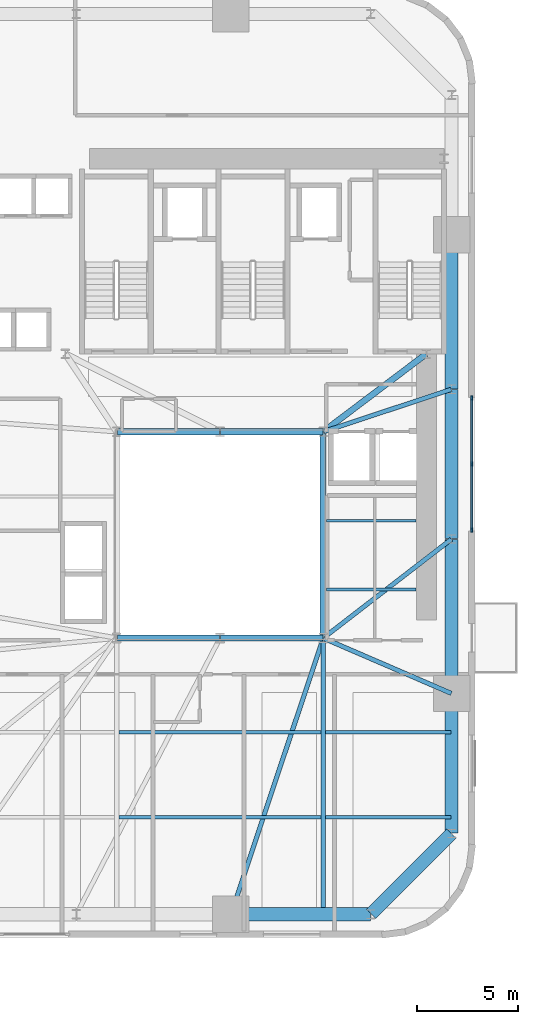
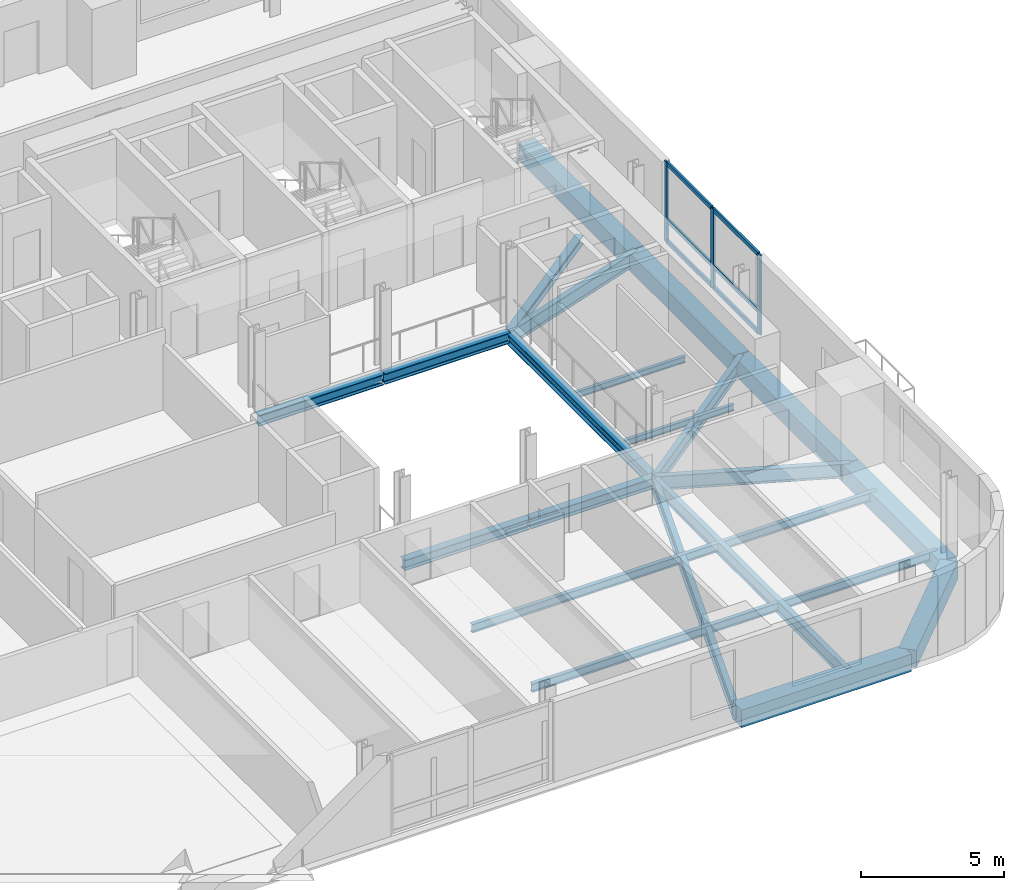
# One storey, part 3 of 13: 23 beams, 9 members, 1 element without a shape of its own.
"""IFC4 building model written with IfcOpenShell, lengths in metres."""

from ifc_helpers import new_model, si_unit, direction, frame, origin, origin_2d, place, context, subcontext, project, spatial, rectangle, i_section, extrude, source, transform, mapped, material, material_profile, profile_set, type_object, element, aggregate, save


model = new_model("IFC4")

# Units and contexts
model_context = context("Model", 3, precision=1e-05, world=origin(), true_north=direction((0.0, 1.0)))
body_context = subcontext(model_context, "Body", "Model", "MODEL_VIEW")
ifc_project = project(units=[si_unit("LENGTHUNIT", "METRE"), si_unit("AREAUNIT", "SQUARE_METRE"), si_unit("VOLUMEUNIT", "CUBIC_METRE"), si_unit("PLANEANGLEUNIT", "RADIAN"), si_unit("MASSUNIT", "GRAM", prefix="KILO")], contexts=[model_context])

# Site, building, storey
site_placement = place(None, origin())
site = spatial("IfcSite", under=ifc_project, at=site_placement, CompositionType="ELEMENT")
building_placement = place(site_placement, origin())
building = spatial("IfcBuilding", under=site, at=building_placement, Name="Vardaveli Station Tower", CompositionType="ELEMENT")
storey_placement = place(building_placement, frame((0.0, 0.0, 86.0)))
storey = spatial("IfcBuildingStorey", under=building, at=storey_placement, Name="L22", CompositionType="ELEMENT", Elevation=86.0)

# Beams
ifc_material_1 = material(Name="Structural steel S355J2", Category="steel")
ifc_material_profile_1 = material_profile(ifc_material_1, i_section(OverallWidth=0.300048828125, OverallDepth=0.449951171875, WebThickness=0.013916015625, FlangeThickness=0.02587890625, FilletRadius=0.027099609375, at=origin_2d()), Name="HEB 450")
ifc_profile_set_1 = profile_set([ifc_material_profile_1], Name="Structural steel S355J2")
beam_type_1 = type_object("IfcBeamType", Name="BM-HEB450", PredefinedType="BEAM", material=ifc_profile_set_1)
shared_shape_1 = source(origin(), body_context, "Body", "SweptSolid", [
    extrude(i_section(OverallWidth=0.300048828125, OverallDepth=0.449951171875, WebThickness=0.013916015625, FlangeThickness=0.02587890625, FilletRadius=0.027099609375, at=origin_2d()), origin(), (0.0, 0.0, 1.0), 5.06005859375),
])
for number, where, z_axis, x_axis, name in (
    (1, (31.219970703125, 16.60009765625, -0.465087890625), (1.0, 0.0, 0.0), (0.0, 1.0, 0.0), "ABM-L22-01"),
    (2, (36.280029296875, 26.800048828125, -0.465087890625), (-1.0, 0.0, 0.0), (0.0, -1.0, 0.0), "ABM-L22-05"),
):
    element("IfcBeam", number, at=place(storey_placement, frame(where, z_axis=z_axis, x_axis=x_axis)), inside=storey, type_object=beam_type_1, Name=name, PredefinedType="BEAM", context=body_context, shape_type="MappedRepresentation", body=[
        mapped(shared_shape_1, transform((0.0, 0.0, 0.0), scale=1.0)),
    ])
shared_shape_2 = source(origin(), body_context, "Body", "SweptSolid", [
    extrude(i_section(OverallWidth=0.300048828125, OverallDepth=0.449951171875, WebThickness=0.013916015625, FlangeThickness=0.02587890625, FilletRadius=0.027099609375, at=origin_2d()), origin(), (0.0, 0.0, 1.0), 5.059814453125),
])
for number, where, z_axis, x_axis, name in (
    (3, (36.320068359375, 16.60009765625, -0.465087890625), (1.0, 0.0, 0.0), (0.0, 1.0, 0.0), "ABM-L22-02"),
    (4, (41.3798828125, 26.800048828125, -0.465087890625), (-1.0, 0.0, 0.0), (0.0, -1.0, 0.0), "ABM-L22-04"),
):
    element("IfcBeam", number, at=place(storey_placement, frame(where, z_axis=z_axis, x_axis=x_axis)), inside=storey, type_object=beam_type_1, Name=name, PredefinedType="BEAM", context=body_context, shape_type="MappedRepresentation", body=[
        mapped(shared_shape_2, transform((0.0, 0.0, 0.0), scale=1.0)),
    ])
shared_shape_3 = source(origin(), body_context, "Body", "SweptSolid", [
    extrude(i_section(OverallWidth=0.300048828125, OverallDepth=0.449951171875, WebThickness=0.013916015625, FlangeThickness=0.02587890625, FilletRadius=0.027099609375, at=origin_2d()), origin(), (0.0, 0.0, 1.0), 10.159912109375),
])
beam_1_placement = place(storey_placement, frame((41.39990234375, 16.6201171875, -0.465087890625), z_axis=(0.0, 1.0, 0.0), x_axis=(-1.0, 0.0, 0.0)))
element("IfcBeam", 5, at=beam_1_placement, inside=storey, type_object=beam_type_1, Name="ABM-L22-03", PredefinedType="BEAM", context=body_context, shape_type="MappedRepresentation", body=[
    mapped(shared_shape_3, transform((0.0, 0.0, 0.0), scale=1.0)),
])
ifc_material_profile_2 = material_profile(ifc_material_1, i_section(OverallWidth=0.300048828125, OverallDepth=0.360107421875, WebThickness=0.012451171875, FlangeThickness=0.0224609375, FilletRadius=0.027099609375, at=origin_2d()), Name="HEB 360")
ifc_profile_set_2 = profile_set([ifc_material_profile_2], Name="Structural steel S355J2")
beam_type_2 = type_object("IfcBeamType", Name="BM-HEB360", PredefinedType="BEAM", material=ifc_profile_set_2)
shared_shape_4 = source(origin(), body_context, "Body", "SweptSolid", [
    extrude(i_section(OverallWidth=0.300048828125, OverallDepth=0.360107421875, WebThickness=0.012451171875, FlangeThickness=0.0224609375, FilletRadius=0.027099609375, at=origin_2d()), origin(), (0.0, 0.0, 1.0), 6.35009765625),
])
beam_2_placement = place(storey_placement, frame((41.416015625, 26.81201171875, -0.419921875), z_axis=(0.798118337722, 0.602500721154, 0.0), x_axis=(-0.602500721154, 0.798118337722, 0.0)))
element("IfcBeam", 6, at=beam_2_placement, inside=storey, type_object=beam_type_2, Name="CBM-L22-02", PredefinedType="BEAM", context=body_context, shape_type="MappedRepresentation", body=[
    mapped(shared_shape_4, transform((0.0, 0.0, 0.0), scale=1.0)),
])
ifc_material_2 = material(Name="Precast concrete C45/55", Category="concrete")
ifc_material_profile_3 = material_profile(ifc_material_2, rectangle(XDim=0.64990234375, YDim=0.75, at=origin_2d()), Name="LPB 650x750")
ifc_profile_set_3 = profile_set([ifc_material_profile_3], Name="Precast concrete C45/55")
beam_type_3 = type_object("IfcBeamType", Name="BM-LPB-750", PredefinedType="BEAM", material=ifc_profile_set_3)
shared_shape_5 = source(origin(), body_context, "Body", "SweptSolid", [
    extrude(rectangle(XDim=0.64990234375, YDim=0.75, at=origin_2d()), origin(), (0.0, 0.0, 1.0), 7.60009765625),
])
for number, where, z_axis, x_axis, name in (
    (7, (47.75, 13.8798828125, -0.614990234375), (0.0, 1.0, 0.0), (-1.0, 0.0, 0.0), "RBM-L22-07"),
    (8, (47.75, 28.919921875, -0.614990234375), (0.0, 1.0, 0.0), (-1.0, 0.0, 0.0), "RBM-L22-09"),
):
    element("IfcBeam", number, at=place(storey_placement, frame(where, z_axis=z_axis, x_axis=x_axis)), inside=storey, type_object=beam_type_3, Name=name, PredefinedType="BEAM", context=body_context, shape_type="MappedRepresentation", body=[
        mapped(shared_shape_5, transform((0.0, 0.0, 0.0), scale=1.0)),
    ])
shared_shape_6 = source(origin(), body_context, "Body", "SweptSolid", [
    extrude(rectangle(XDim=0.64990234375, YDim=0.75, at=origin_2d()), origin(), (0.0, 0.0, 1.0), 7.35986328125),
])
beam_3_placement = place(storey_placement, frame((47.75, 21.52001953125, -0.614990234375), z_axis=(0.0, 1.0, 0.0), x_axis=(-1.0, 0.0, 0.0)))
element("IfcBeam", 9, at=beam_3_placement, inside=storey, type_object=beam_type_3, Name="RBM-L22-08", PredefinedType="BEAM", context=body_context, shape_type="MappedRepresentation", body=[
    mapped(shared_shape_6, transform((0.0, 0.0, 0.0), scale=1.0)),
])
shared_shape_7 = source(origin(), body_context, "Body", "SweptSolid", [
    extrude(rectangle(XDim=0.64990234375, YDim=0.75, at=origin_2d()), origin(), (0.0, 0.0, 1.0), 6.869873046875),
])
beam_4_placement = place(storey_placement, frame((36.860107421875, 2.949951171875, -0.614990234375), z_axis=(1.0, 0.0, 0.0), x_axis=(0.0, 1.0, 0.0)))
element("IfcBeam", 10, at=beam_4_placement, inside=storey, type_object=beam_type_3, Name="RBM-L22-04", PredefinedType="BEAM", context=body_context, shape_type="MappedRepresentation", body=[
    mapped(shared_shape_7, transform((0.0, 0.0, 0.0), scale=1.0)),
])
shared_shape_8 = source(origin(), body_context, "Body", "SweptSolid", [
    extrude(rectangle(XDim=0.64990234375, YDim=0.75, at=origin_2d()), origin(), (0.0, 0.0, 1.0), 5.61669921875),
])
beam_5_placement = place(storey_placement, frame((43.76416015625, 2.964111328125, -0.614990234375), z_axis=(0.707106781187, 0.707106781187, 0.0), x_axis=(-0.707106781187, 0.707106781187, 0.0)))
element("IfcBeam", 11, at=beam_5_placement, inside=storey, type_object=beam_type_3, Name="RBM-L22-05", PredefinedType="BEAM", context=body_context, shape_type="MappedRepresentation", body=[
    mapped(shared_shape_8, transform((0.0, 0.0, 0.0), scale=1.0)),
])
shared_shape_9 = source(origin(), body_context, "Body", "SweptSolid", [
    extrude(rectangle(XDim=0.64990234375, YDim=0.75, at=origin_2d()), origin(), (0.0, 0.0, 1.0), 6.8701171875),
])
beam_6_placement = place(storey_placement, frame((47.75, 6.969970703125, -0.614990234375), z_axis=(0.0, 1.0, 0.0), x_axis=(-1.0, 0.0, 0.0)))
element("IfcBeam", 12, at=beam_6_placement, inside=storey, type_object=beam_type_3, Name="RBM-L22-06", PredefinedType="BEAM", context=body_context, shape_type="MappedRepresentation", body=[
    mapped(shared_shape_9, transform((0.0, 0.0, 0.0), scale=1.0)),
])
ifc_material_profile_4 = material_profile(ifc_material_1, i_section(OverallWidth=0.219970703125, OverallDepth=0.60009765625, WebThickness=0.011962890625, FlangeThickness=0.01904296875, FilletRadius=0.02392578125, at=origin_2d()), Name="IPE 600")
ifc_profile_set_4 = profile_set([ifc_material_profile_4], Name="Structural steel S355J2")
beam_type_4 = type_object("IfcBeamType", Name="BM-IPE600", PredefinedType="BEAM", material=ifc_profile_set_4)
shared_shape_10 = source(origin(), body_context, "Body", "SweptSolid", [
    extrude(i_section(OverallWidth=0.219970703125, OverallDepth=0.60009765625, WebThickness=0.011962890625, FlangeThickness=0.01904296875, FilletRadius=0.02392578125, at=origin_2d()), origin(), (0.0, 0.0, 1.0), 14.3515625),
])
beam_7_placement = place(storey_placement, frame((36.846435546875, 2.968994140625, -0.5400390625), z_axis=(0.316840115921, 0.948478961782, 0.0), x_axis=(-0.948478961782, 0.316840115921, 0.0)))
element("IfcBeam", 13, at=beam_7_placement, inside=storey, type_object=beam_type_4, Name="GBM-L22-04", PredefinedType="BEAM", context=body_context, shape_type="MappedRepresentation", body=[
    mapped(shared_shape_10, transform((0.0, 0.0, 0.0), scale=1.0)),
])
shared_shape_11 = source(origin(), body_context, "Body", "SweptSolid", [
    extrude(i_section(OverallWidth=0.219970703125, OverallDepth=0.60009765625, WebThickness=0.011962890625, FlangeThickness=0.01904296875, FilletRadius=0.02392578125, at=origin_2d()), origin(), (0.0, 0.0, 1.0), 6.8759765625),
])
beam_8_placement = place(storey_placement, frame((47.731689453125, 13.867919921875, -0.5400390625), z_axis=(-0.918170694621, 0.396185026899, 0.0), x_axis=(-0.396185026899, -0.918170694621, 0.0)))
element("IfcBeam", 14, at=beam_8_placement, inside=storey, type_object=beam_type_4, Name="GBM-L22-05", PredefinedType="BEAM", context=body_context, shape_type="MappedRepresentation", body=[
    mapped(shared_shape_11, transform((0.0, 0.0, 0.0), scale=1.0)),
])
shared_shape_12 = source(origin(), body_context, "Body", "SweptSolid", [
    extrude(i_section(OverallWidth=0.219970703125, OverallDepth=0.60009765625, WebThickness=0.011962890625, FlangeThickness=0.01904296875, FilletRadius=0.02392578125, at=origin_2d()), origin(), (0.0, 0.0, 1.0), 7.980712890625),
])
beam_9_placement = place(storey_placement, frame((47.734130859375, 21.48779296875, -0.5400390625), z_axis=(-0.791701934907, -0.610907559509, 0.0), x_axis=(0.610907559509, -0.791701934907, 0.0)))
element("IfcBeam", 15, at=beam_9_placement, inside=storey, type_object=beam_type_4, Name="GBM-L22-06", PredefinedType="BEAM", context=body_context, shape_type="MappedRepresentation", body=[
    mapped(shared_shape_12, transform((0.0, 0.0, 0.0), scale=1.0)),
])
shared_shape_13 = source(origin(), body_context, "Body", "SweptSolid", [
    extrude(i_section(OverallWidth=0.219970703125, OverallDepth=0.60009765625, WebThickness=0.011962890625, FlangeThickness=0.01904296875, FilletRadius=0.02392578125, at=origin_2d()), origin(), (0.0, 0.0, 1.0), 6.648193359375),
])
beam_10_placement = place(storey_placement, frame((47.73095703125, 28.893798828125, -0.5400390625), z_axis=(-0.949429779906, -0.313979446824, 0.0), x_axis=(0.313979446824, -0.949429779906, 0.0)))
element("IfcBeam", 16, at=beam_10_placement, inside=storey, type_object=beam_type_4, Name="GBM-L22-07", PredefinedType="BEAM", context=body_context, shape_type="MappedRepresentation", body=[
    mapped(shared_shape_13, transform((0.0, 0.0, 0.0), scale=1.0)),
])
ifc_material_profile_5 = material_profile(ifc_material_1, i_section(OverallWidth=0.2099609375, OverallDepth=0.550048828125, WebThickness=0.010986328125, FlangeThickness=0.01708984375, FilletRadius=0.02392578125, at=origin_2d()), Name="IPE 550")
ifc_profile_set_5 = profile_set([ifc_material_profile_5], Name="Structural steel S355J2")
beam_type_5 = type_object("IfcBeamType", Name="BM-IPE550", PredefinedType="BEAM", material=ifc_profile_set_5)
shared_shape_14 = source(origin(), body_context, "Body", "SweptSolid", [
    extrude(i_section(OverallWidth=0.2099609375, OverallDepth=0.550048828125, WebThickness=0.010986328125, FlangeThickness=0.01708984375, FilletRadius=0.02392578125, at=origin_2d()), origin(), (0.0, 0.0, 1.0), 13.469970703125),
])
beam_11_placement = place(storey_placement, frame((41.39990234375, 2.989990234375, -0.514892578125), z_axis=(0.0, 1.0, 0.0), x_axis=(-1.0, 0.0, 0.0)))
element("IfcBeam", 17, at=beam_11_placement, inside=storey, type_object=beam_type_5, Name="NSM-L22-S2", PredefinedType="BEAM", context=body_context, shape_type="MappedRepresentation", body=[
    mapped(shared_shape_14, transform((0.0, 0.0, 0.0), scale=1.0)),
])
ifc_material_profile_6 = material_profile(ifc_material_1, i_section(OverallWidth=0.169921875, OverallDepth=0.360107421875, WebThickness=0.008056640625, FlangeThickness=0.0126953125, FilletRadius=0.01806640625, at=origin_2d()), Name="IPE 360")
ifc_profile_set_6 = profile_set([ifc_material_profile_6], Name="Structural steel S355J2")
beam_type_6 = type_object("IfcBeamType", Name="BM-IPE360", PredefinedType="JOIST", material=ifc_profile_set_6)
shared_shape_15 = source(origin(), body_context, "Body", "SweptSolid", [
    extrude(i_section(OverallWidth=0.169921875, OverallDepth=0.360107421875, WebThickness=0.008056640625, FlangeThickness=0.0126953125, FilletRadius=0.01806640625, at=origin_2d()), origin(), (0.0, 0.0, 1.0), 9.97607421875),
])
for number, where, z_axis, x_axis, name in (
    (18, (31.31201171875, 7.75, -0.419921875), (1.0, 0.0, 0.0), (0.0, 1.0, 0.0), "SJ-L22-S02"),
    (19, (31.31201171875, 11.949951171875, -0.419921875), (1.0, 0.0, 0.0), (0.0, 1.0, 0.0), "SJ-L22-S05"),
):
    element("IfcBeam", number, at=place(storey_placement, frame(where, z_axis=z_axis, x_axis=x_axis)), inside=storey, type_object=beam_type_6, Name=name, PredefinedType="JOIST", context=body_context, shape_type="MappedRepresentation", body=[
        mapped(shared_shape_15, transform((0.0, 0.0, 0.0), scale=1.0)),
    ])
shared_shape_16 = source(origin(), body_context, "Body", "SweptSolid", [
    extrude(i_section(OverallWidth=0.169921875, OverallDepth=0.360107421875, WebThickness=0.008056640625, FlangeThickness=0.0126953125, FilletRadius=0.01806640625, at=origin_2d()), origin(), (0.0, 0.0, 1.0), 6.197998046875),
])
for number, where, z_axis, x_axis, name in (
    (20, (41.511962890625, 7.75, -0.419921875), (1.0, 0.0, 0.0), (0.0, 1.0, 0.0), "SJ-L22-S03"),
    (21, (41.511962890625, 11.949951171875, -0.419921875), (1.0, 0.0, 0.0), (0.0, 1.0, 0.0), "SJ-L22-S06"),
):
    element("IfcBeam", number, at=place(storey_placement, frame(where, z_axis=z_axis, x_axis=x_axis)), inside=storey, type_object=beam_type_6, Name=name, PredefinedType="JOIST", context=body_context, shape_type="MappedRepresentation", body=[
        mapped(shared_shape_16, transform((0.0, 0.0, 0.0), scale=1.0)),
    ])
ifc_material_profile_7 = material_profile(ifc_material_1, i_section(OverallWidth=0.135009765625, OverallDepth=0.27001953125, WebThickness=0.006591796875, FlangeThickness=0.01025390625, FilletRadius=0.014892578125, at=origin_2d()), Name="IPE 270")
ifc_profile_set_7 = profile_set([ifc_material_profile_7], Name="Structural steel S355J2")
beam_type_7 = type_object("IfcBeamType", Name="BM-IPE270", PredefinedType="BEAM", material=ifc_profile_set_7)
shared_shape_17 = source(origin(), body_context, "Body", "SweptSolid", [
    extrude(i_section(OverallWidth=0.135009765625, OverallDepth=0.27001953125, WebThickness=0.006591796875, FlangeThickness=0.01025390625, FilletRadius=0.014892578125, at=origin_2d()), origin(), (0.0, 0.0, 1.0), 4.43017578125),
])
for number, where, z_axis, x_axis, name in (
    (22, (41.56494140625, 19.0, -0.375), (1.0, 0.0, 0.0), (0.0, 1.0, 0.0), "TJ-L22-01"),
    (23, (41.56494140625, 22.39990234375, -0.375), (1.0, 0.0, 0.0), (0.0, 1.0, 0.0), "TJ-L22-02"),
):
    element("IfcBeam", number, at=place(storey_placement, frame(where, z_axis=z_axis, x_axis=x_axis)), inside=storey, type_object=beam_type_7, Name=name, PredefinedType="BEAM", context=body_context, shape_type="MappedRepresentation", body=[
        mapped(shared_shape_17, transform((0.0, 0.0, 0.0), scale=1.0)),
    ])

# Curtain wall, members
ifc_material_3 = material(Name="Travertine stone and solar-control glass", Category="masonry")
curtain_wall_type = type_object("IfcCurtainWallType", Name="CW-SYS-2", PredefinedType="NOTDEFINED", material=ifc_material_3)
curtain_wall_placement = place(storey_placement, origin())
curtain_wall = element("IfcCurtainWall", 24, at=curtain_wall_placement, inside=storey, type_object=curtain_wall_type, Name="CW-L22-E", PredefinedType="NOTDEFINED")
ifc_material_4 = material(Name="Anodised aluminium alloy 6063-T6", Category="aluminium")
ifc_material_profile_8 = material_profile(ifc_material_4, rectangle(XDim=0.0849609375, YDim=0.219970703125, at=origin_2d()), Name="CWM 85x220")
ifc_profile_set_8 = profile_set([ifc_material_profile_8], Name="Anodised aluminium alloy 6063-T6")
member_type_1 = type_object("IfcMemberType", Name="CW-SYS-2-MULL", PredefinedType="MULLION", material=ifc_profile_set_8)
shared_shape_18 = source(origin(), body_context, "Body", "SweptSolid", [
    extrude(rectangle(XDim=0.0849609375, YDim=0.219970703125, at=origin_2d()), origin(), (0.0, 0.0, 1.0), 3.409912109375),
])
member_1_placement = place(storey_placement, frame((48.739990234375, 21.9423828125, 0.0), z_axis=(0.0, 0.0, 1.0), x_axis=(-1.0, 0.0, 0.0)))
member_1 = element("IfcMember", 25, at=member_1_placement, type_object=member_type_1, Name="CW-2 mullion 1", PredefinedType="MULLION", context=body_context, shape_type="MappedRepresentation", body=[
    mapped(shared_shape_18, transform((0.0, 0.0, 0.0), scale=1.0)),
])
member_2_placement = place(storey_placement, frame((48.739990234375, 25.199951171875, 0.0), z_axis=(0.0, 0.0, 1.0), x_axis=(-1.0, 0.0, 0.0)))
member_2 = element("IfcMember", 26, at=member_2_placement, type_object=member_type_1, Name="CW-2 mullion 2", PredefinedType="MULLION", context=body_context, shape_type="MappedRepresentation", body=[
    mapped(shared_shape_18, transform((0.0, 0.0, 0.0), scale=1.0)),
])
member_3_placement = place(storey_placement, frame((48.739990234375, 28.45751953125, 0.0), z_axis=(0.0, 0.0, 1.0), x_axis=(-1.0, 0.0, 0.0)))
member_3 = element("IfcMember", 27, at=member_3_placement, type_object=member_type_1, Name="CW-2 mullion 3", PredefinedType="MULLION", context=body_context, shape_type="MappedRepresentation", body=[
    mapped(shared_shape_18, transform((0.0, 0.0, 0.0), scale=1.0)),
])
ifc_material_profile_9 = material_profile(ifc_material_4, rectangle(XDim=0.0849609375, YDim=0.179931640625, at=origin_2d()), Name="CWT 85x180")
ifc_profile_set_9 = profile_set([ifc_material_profile_9], Name="Anodised aluminium alloy 6063-T6")
member_type_2 = type_object("IfcMemberType", Name="CW-SYS-2-TRAN", PredefinedType="NOTDEFINED", material=ifc_profile_set_9)
shared_shape_19 = source(origin(), body_context, "Body", "SweptSolid", [
    extrude(rectangle(XDim=0.0849609375, YDim=0.179931640625, at=origin_2d()), origin(), (0.0, 0.0, 1.0), 3.172607421875),
])
member_4_placement = place(storey_placement, frame((48.739990234375, 25.242431640625, 0.04248046875), z_axis=(0.0, 1.0, 0.0), x_axis=(-1.0, 0.0, 0.0)))
member_4 = element("IfcMember", 28, at=member_4_placement, type_object=member_type_2, Name="CW-2 transom 2.1", ObjectType="TRANSOM", PredefinedType="USERDEFINED", context=body_context, shape_type="MappedRepresentation", body=[
    mapped(shared_shape_19, transform((0.0, 0.0, 0.0), scale=1.0)),
])
member_5_placement = place(storey_placement, frame((48.739990234375, 25.242431640625, 0.949951171875), z_axis=(0.0, 1.0, 0.0), x_axis=(-1.0, 0.0, 0.0)))
member_5 = element("IfcMember", 29, at=member_5_placement, type_object=member_type_2, Name="CW-2 transom 2.2", ObjectType="TRANSOM", PredefinedType="USERDEFINED", context=body_context, shape_type="MappedRepresentation", body=[
    mapped(shared_shape_19, transform((0.0, 0.0, 0.0), scale=1.0)),
])
member_6_placement = place(storey_placement, frame((48.739990234375, 25.242431640625, 3.367431640625), z_axis=(0.0, 1.0, 0.0), x_axis=(-1.0, 0.0, 0.0)))
member_6 = element("IfcMember", 30, at=member_6_placement, type_object=member_type_2, Name="CW-2 transom 2.3", ObjectType="TRANSOM", PredefinedType="USERDEFINED", context=body_context, shape_type="MappedRepresentation", body=[
    mapped(shared_shape_19, transform((0.0, 0.0, 0.0), scale=1.0)),
])
shared_shape_20 = source(origin(), body_context, "Body", "SweptSolid", [
    extrude(rectangle(XDim=0.0849609375, YDim=0.179931640625, at=origin_2d()), origin(), (0.0, 0.0, 1.0), 3.17236328125),
])
member_7_placement = place(storey_placement, frame((48.739990234375, 21.985107421875, 0.04248046875), z_axis=(0.0, 1.0, 0.0), x_axis=(-1.0, 0.0, 0.0)))
member_7 = element("IfcMember", 31, at=member_7_placement, type_object=member_type_2, Name="CW-2 transom 1.1", ObjectType="TRANSOM", PredefinedType="USERDEFINED", context=body_context, shape_type="MappedRepresentation", body=[
    mapped(shared_shape_20, transform((0.0, 0.0, 0.0), scale=1.0)),
])
member_8_placement = place(storey_placement, frame((48.739990234375, 21.985107421875, 0.949951171875), z_axis=(0.0, 1.0, 0.0), x_axis=(-1.0, 0.0, 0.0)))
member_8 = element("IfcMember", 32, at=member_8_placement, type_object=member_type_2, Name="CW-2 transom 1.2", ObjectType="TRANSOM", PredefinedType="USERDEFINED", context=body_context, shape_type="MappedRepresentation", body=[
    mapped(shared_shape_20, transform((0.0, 0.0, 0.0), scale=1.0)),
])
member_9_placement = place(storey_placement, frame((48.739990234375, 21.985107421875, 3.367431640625), z_axis=(0.0, 1.0, 0.0), x_axis=(-1.0, 0.0, 0.0)))
member_9 = element("IfcMember", 33, at=member_9_placement, type_object=member_type_2, Name="CW-2 transom 1.3", ObjectType="TRANSOM", PredefinedType="USERDEFINED", context=body_context, shape_type="MappedRepresentation", body=[
    mapped(shared_shape_20, transform((0.0, 0.0, 0.0), scale=1.0)),
])
aggregate(curtain_wall, [member_1, member_2, member_3, member_7, member_8, member_9, member_4, member_5, member_6])

save(model, "model.ifc")
